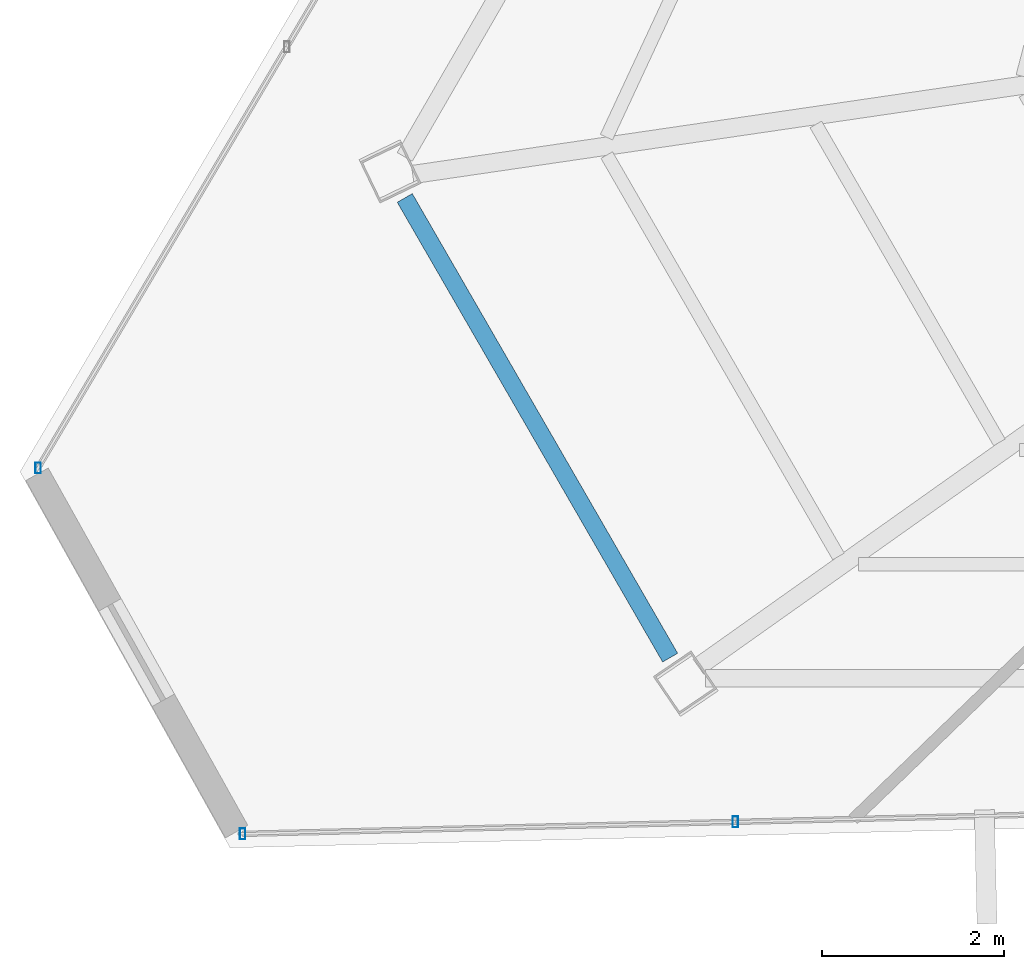
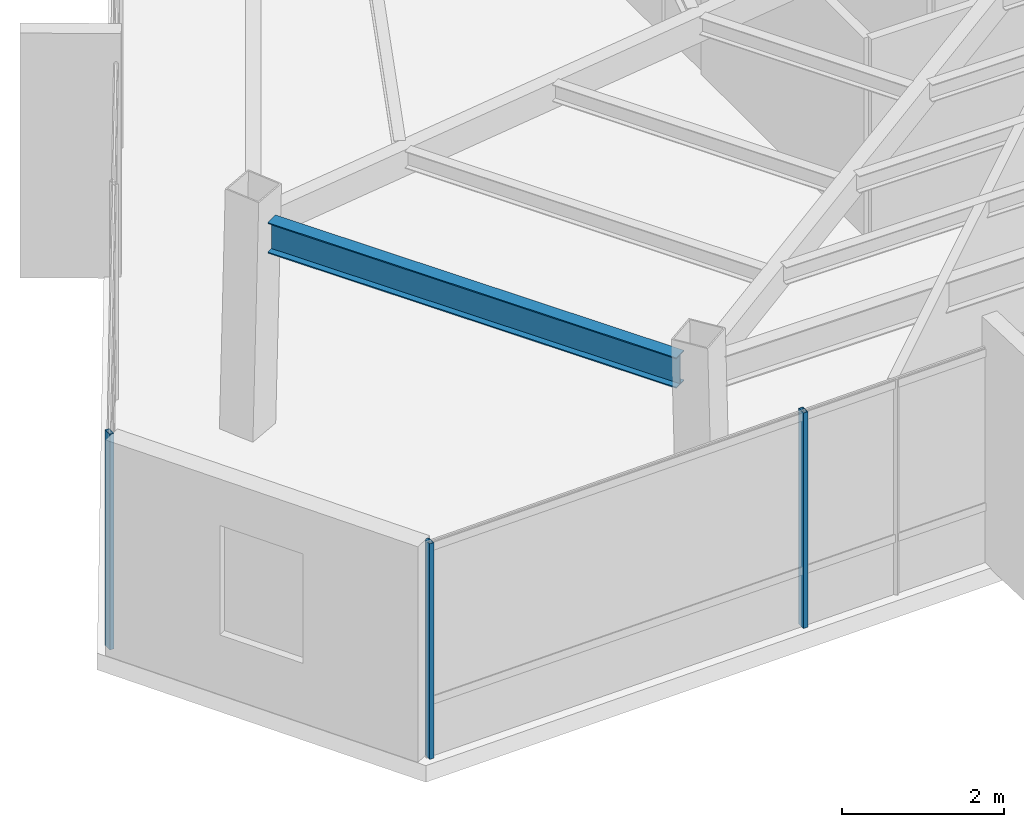
# One storey, part 3 of 44: 3 members, 1 beam, 2 elements without a shape of their own.
"""IFC4 building model written with IfcOpenShell, lengths in metres."""

from ifc_helpers import new_model, si_unit, direction, frame, origin, origin_2d, place, context, subcontext, project, spatial, hollow_rectangle, i_section, extrude, source, transform, mapped, material, material_profile, profile_set, type_object, type_shapes, element, aggregate, save


model = new_model("IFC4")

# Units and contexts
model_context = context("Model", 3, precision=1e-05, world=origin(), true_north=direction((0.0, 1.0)))
body_context = subcontext(model_context, "Body", "Model", "MODEL_VIEW")
ifc_project = project(units=[si_unit("LENGTHUNIT", "METRE"), si_unit("AREAUNIT", "SQUARE_METRE"), si_unit("VOLUMEUNIT", "CUBIC_METRE"), si_unit("PLANEANGLEUNIT", "RADIAN"), si_unit("MASSUNIT", "GRAM", prefix="KILO")], contexts=[model_context])

# Site, building, storey
site_placement = place(None, origin())
site = spatial("IfcSite", under=ifc_project, at=site_placement, CompositionType="ELEMENT")
building_placement = place(site_placement, origin())
building = spatial("IfcBuilding", under=site, at=building_placement, Name="Caelisora Broadcast Tower", CompositionType="ELEMENT")
storey_placement = place(building_placement, frame((0.0, 0.0, 280.949951171875)))
storey = spatial("IfcBuildingStorey", under=building, at=storey_placement, Name="L74", CompositionType="ELEMENT", Elevation=280.949951171875)

# Beam
ifc_material_1 = material(Name="Steel Grade 350 (AS/NZS 3679.1)", Category="steel")
ifc_material_profile_1 = material_profile(ifc_material_1, i_section(OverallWidth=0.19091796875, OverallDepth=0.46044921875, WebThickness=0.010009765625, FlangeThickness=0.01611328125, at=origin_2d()), Name="Steel Grade 350 (AS/NZS 3679.1)")
ifc_profile_set_1 = profile_set([ifc_material_profile_1], Name="Steel Grade 350 (AS/NZS 3679.1)")
beam_type = type_object("IfcBeamType", Name="PG06", PredefinedType="BEAM", material=ifc_profile_set_1)
shared_shape_1 = source(origin(), body_context, "Body", "SweptSolid", [
    extrude(i_section(OverallWidth=0.19091796875, OverallDepth=0.46044921875, WebThickness=0.010009765625, FlangeThickness=0.01611328125, at=origin_2d()), origin(), (0.0, 0.0, 1.0), 5.824462890625),
])
type_shapes(beam_type, [shared_shape_1])
beam_placement = place(storey_placement, frame((16.864013671875, 15.159912109375, 3.019775390625), z_axis=(0.50001150857, -0.866018759206, 0.0), x_axis=(0.866018759206, 0.50001150857, 0.0)))
element("IfcBeam", 1, at=beam_placement, inside=storey, type_object=beam_type, Name="L74 beam PG06", PredefinedType="BEAM", context=body_context, shape_type="MappedRepresentation", body=[
    mapped(shared_shape_1, transform((0.0, 0.0, 0.0), scale=1.0)),
])

# Curtain wall, members
ifc_material_2 = material(Name="Unitised Aluminium and Low-E Glass Curtain Wall", Category="glass")
curtain_wall_type = type_object("IfcCurtainWallType", Name="CW-Z5", PredefinedType="NOTDEFINED", material=ifc_material_2)
curtain_wall_1_placement = place(storey_placement, origin())
curtain_wall_1 = element("IfcCurtainWall", 2, at=curtain_wall_1_placement, inside=storey, type_object=curtain_wall_type, Name="L74 curtain wall CW-Z5", PredefinedType="NOTDEFINED")
ifc_material_3 = material(Name="Aluminium 6063-T6 Anodised Terracotta Bronze", Category="aluminium")
ifc_material_profile_2 = material_profile(ifc_material_3, hollow_rectangle(XDim=0.06005859375, YDim=0.1201171875, WallThickness=0.0029296875, at=origin_2d()), Name="Aluminium 6063-T6 Anodised Terracotta Bronze")
ifc_profile_set_2 = profile_set([ifc_material_profile_2], Name="Aluminium 6063-T6 Anodised Terracotta Bronze")
member_type = type_object("IfcMemberType", Name="CWM-04", PredefinedType="MULLION", material=ifc_profile_set_2)
shared_shape_2 = source(origin(), body_context, "Body", "SweptSolid", [
    extrude(hollow_rectangle(XDim=0.06005859375, YDim=0.1201171875, WallThickness=0.0029296875, at=origin_2d()), origin(), (0.0, 0.0, 1.0), 3.25),
])
type_shapes(member_type, [shared_shape_2])
member_1_placement = place(storey_placement, frame((20.49267578125, 8.313720703125, 0.0), z_axis=(0.0, 0.0, 1.0), x_axis=(1.0, 0.0, 0.0)))
member_1 = element("IfcMember", 3, at=member_1_placement, type_object=member_type, Name="L74-CW-B07 mullion #2", PredefinedType="MULLION", context=body_context, shape_type="MappedRepresentation", body=[
    mapped(shared_shape_2, transform((0.0, 0.0, 0.0), scale=1.0)),
])
member_2_placement = place(storey_placement, frame((15.083984375, 8.18212890625, 0.0), z_axis=(0.0, 0.0, 1.0), x_axis=(1.0, 0.0, 0.0)))
member_2 = element("IfcMember", 4, at=member_2_placement, type_object=member_type, Name="L74-CW-B07 mullion #3", PredefinedType="MULLION", context=body_context, shape_type="MappedRepresentation", body=[
    mapped(shared_shape_2, transform((0.0, 0.0, 0.0), scale=1.0)),
])
aggregate(curtain_wall_1, [member_1, member_2])

# Curtain wall, member
curtain_wall_2_placement = place(storey_placement, origin())
curtain_wall_2 = element("IfcCurtainWall", 5, at=curtain_wall_2_placement, inside=storey, type_object=curtain_wall_type, Name="L74 curtain wall CW-Z5", PredefinedType="NOTDEFINED")
member_3_placement = place(storey_placement, frame((12.84033203125, 12.197021484375, 0.0), z_axis=(0.0, 0.0, 1.0), x_axis=(1.0, 0.0, 0.0)))
member_3 = element("IfcMember", 6, at=member_3_placement, type_object=member_type, Name="L74-CW-B09 mullion #0", PredefinedType="MULLION", context=body_context, shape_type="MappedRepresentation", body=[
    mapped(shared_shape_2, transform((0.0, 0.0, 0.0), scale=1.0)),
])
aggregate(curtain_wall_2, [member_3])

save(model, "model.ifc")
